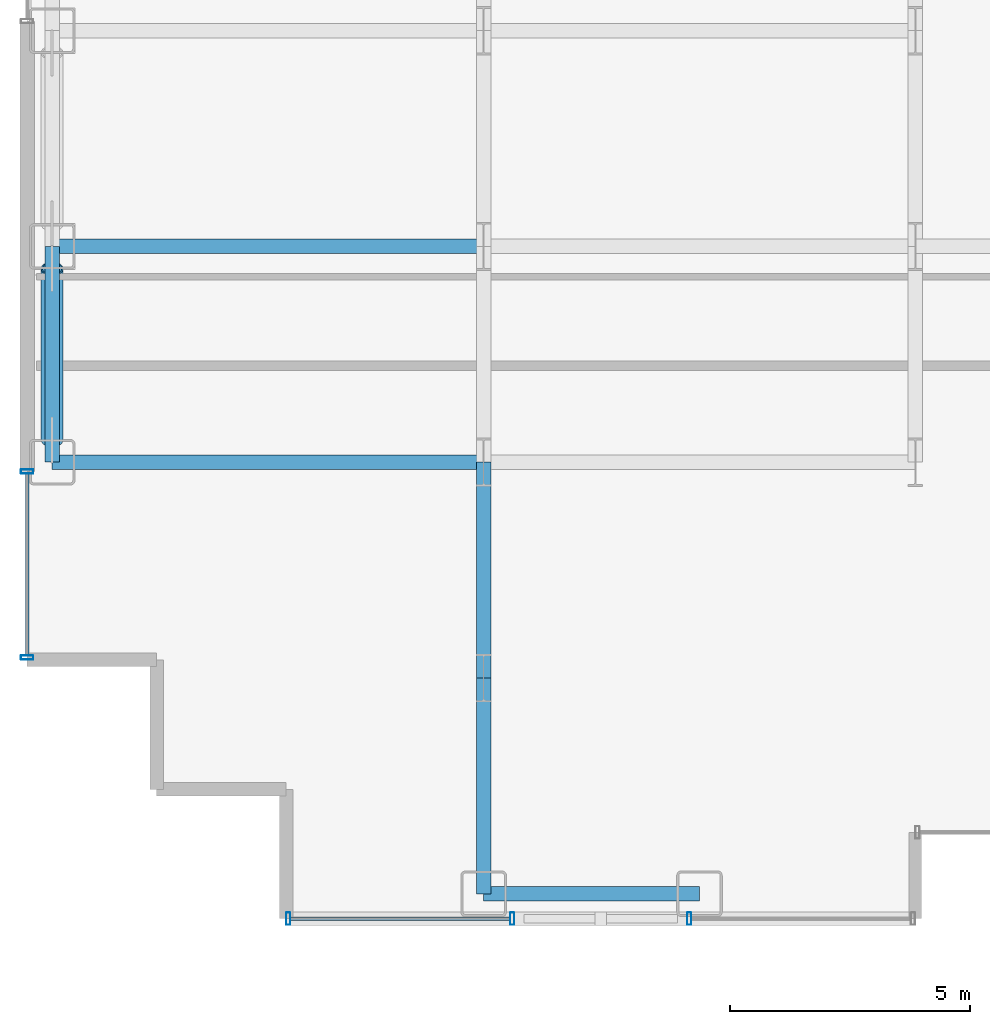
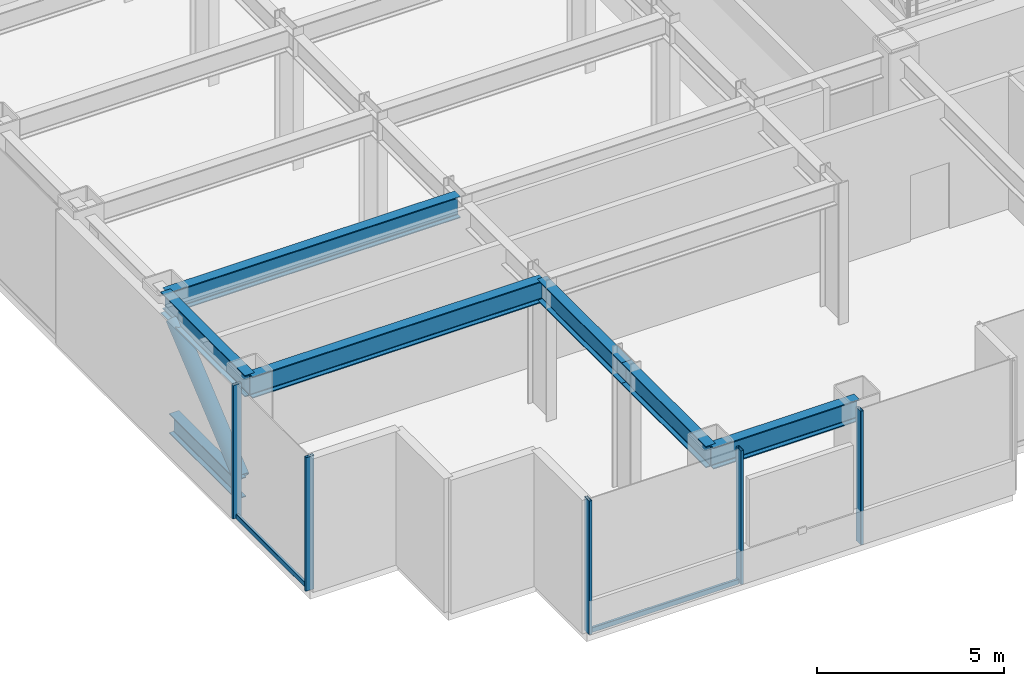
# One storey, part 2 of 30: 9 members, 6 beams, 3 elements without a shape of their own.
"""IFC4 building model written with IfcOpenShell, lengths in metres."""

from ifc_helpers import new_model, si_unit, direction, frame, origin, origin_2d, place, context, subcontext, project, spatial, hollow_rectangle, hollow_circle, i_section, extrude, source, transform, mapped, material, layer, layer_set, material_profile, profile_set, type_object, element, aggregate, save


model = new_model("IFC4")

# Units and contexts
model_context = context("Model", 3, precision=1e-05, world=origin(), true_north=direction((0.0, 1.0)))
body_context = subcontext(model_context, "Body", "Model", "MODEL_VIEW")
ifc_project = project(units=[si_unit("LENGTHUNIT", "METRE"), si_unit("AREAUNIT", "SQUARE_METRE"), si_unit("VOLUMEUNIT", "CUBIC_METRE"), si_unit("PLANEANGLEUNIT", "RADIAN"), si_unit("MASSUNIT", "GRAM", prefix="KILO")], contexts=[model_context])

# Site, building, storey
site_placement = place(None, origin())
site = spatial("IfcSite", under=ifc_project, at=site_placement, CompositionType="ELEMENT")
building_placement = place(site_placement, origin())
building = spatial("IfcBuilding", under=site, at=building_placement, Name="Nefas-Gora Pilgrimage Tower", CompositionType="ELEMENT")
storey_placement = place(building_placement, frame((0.0, 0.0, 86.199951171875)))
storey = spatial("IfcBuildingStorey", under=building, at=storey_placement, Name="L20", CompositionType="ELEMENT", Elevation=86.199951171875)

# Beams
ifc_material_1 = material(Name="Steel S355", Category="steel")
ifc_material_profile_1 = material_profile(ifc_material_1, i_section(OverallWidth=0.300048828125, OverallDepth=0.699951171875, WebThickness=0.01708984375, FlangeThickness=0.031982421875, FilletRadius=0.027099609375, at=origin_2d()), Name="HEB 700")
ifc_profile_set_1 = profile_set([ifc_material_profile_1], Name="Steel S355")
beam_type_1 = type_object("IfcBeamType", Name="BM-SPN-HEB600", PredefinedType="SPANDREL", material=ifc_profile_set_1)
shared_shape_1 = source(origin(), body_context, "Body", "SweptSolid", [
    extrude(i_section(OverallWidth=0.300048828125, OverallDepth=0.699951171875, WebThickness=0.01708984375, FlangeThickness=0.031982421875, FilletRadius=0.027099609375, at=origin_2d()), origin(), (0.0, 0.0, 1.0), 4.5),
])
for number, where, z_axis, x_axis, name in (
    (1, (-33.75, -13.5, 4.0), (0.0, 1.0, 0.0), (-1.0, 0.0, 0.0), "L20 SP-01 beam"),
    (2, (-24.75, -22.5, 4.0), (1.0, 0.0, 0.0), (0.0, 1.0, 0.0), "L20 SP-01 beam"),
):
    element("IfcBeam", number, at=place(storey_placement, frame(where, z_axis=z_axis, x_axis=x_axis)), inside=storey, type_object=beam_type_1, Name=name, PredefinedType="SPANDREL", context=body_context, shape_type="MappedRepresentation", body=[
        mapped(shared_shape_1, transform((0.0, 0.0, 0.0), x_axis=(1.0, 0.0, 0.0), y_axis=(0.0, 1.0, 0.0), z_axis=(0.0, 0.0, 1.0), scale=1.0)),
    ])
ifc_material_profile_2 = material_profile(ifc_material_1, i_section(OverallWidth=0.300048828125, OverallDepth=0.699951171875, WebThickness=0.01708984375, FlangeThickness=0.031982421875, FilletRadius=0.027099609375, at=origin_2d()), Name="HEB 700")
ifc_profile_set_2 = profile_set([ifc_material_profile_2], Name="Steel S355")
beam_type_2 = type_object("IfcBeamType", Name="BM-GIR-HEB700", PredefinedType="BEAM", material=ifc_profile_set_2)
shared_shape_2 = source(origin(), body_context, "Body", "SweptSolid", [
    extrude(i_section(OverallWidth=0.300048828125, OverallDepth=0.699951171875, WebThickness=0.01708984375, FlangeThickness=0.031982421875, FilletRadius=0.027099609375, at=origin_2d()), origin(), (0.0, 0.0, 1.0), 9.0),
])
for number, where, z_axis, x_axis, name in (
    (3, (-33.75, -13.5, 4.0), (1.0, 0.0, 0.0), (0.0, 1.0, 0.0), "L20 G-02 beam"),
    (4, (-33.75, -9.0, 4.0), (1.0, 0.0, 0.0), (0.0, 1.0, 0.0), "L20 G-02 beam"),
):
    element("IfcBeam", number, at=place(storey_placement, frame(where, z_axis=z_axis, x_axis=x_axis)), inside=storey, type_object=beam_type_2, Name=name, PredefinedType="BEAM", context=body_context, shape_type="MappedRepresentation", body=[
        mapped(shared_shape_2, transform((0.0, 0.0, 0.0), x_axis=(1.0, 0.0, 0.0), y_axis=(0.0, 1.0, 0.0), z_axis=(0.0, 0.0, 1.0), scale=1.0)),
    ])
shared_shape_3 = source(origin(), body_context, "Body", "SweptSolid", [
    extrude(i_section(OverallWidth=0.300048828125, OverallDepth=0.699951171875, WebThickness=0.01708984375, FlangeThickness=0.031982421875, FilletRadius=0.027099609375, at=origin_2d()), origin(), (0.0, 0.0, 1.0), 4.5),
])
for number, where, z_axis, x_axis, name in (
    (5, (-24.75, -22.5, 4.0), (0.0, 1.0, 0.0), (-1.0, 0.0, 0.0), "L20 G-02 beam"),
    (6, (-24.75, -18.0, 4.0), (0.0, 1.0, 0.0), (-1.0, 0.0, 0.0), "L20 G-02 beam"),
):
    element("IfcBeam", number, at=place(storey_placement, frame(where, z_axis=z_axis, x_axis=x_axis)), inside=storey, type_object=beam_type_2, Name=name, PredefinedType="BEAM", context=body_context, shape_type="MappedRepresentation", body=[
        mapped(shared_shape_3, transform((0.0, 0.0, 0.0), x_axis=(1.0, 0.0, 0.0), y_axis=(0.0, 1.0, 0.0), z_axis=(0.0, 0.0, 1.0), scale=1.0)),
    ])

# Members
ifc_material_2 = material(Name="Steel S460", Category="steel")
ifc_material_profile_3 = material_profile(ifc_material_2, hollow_circle(Radius=0.228515625, WallThickness=0.028076171875, at=origin_2d()), Name="CHS 457x28")
ifc_profile_set_3 = profile_set([ifc_material_profile_3], Name="Steel S460")
member_type_1 = type_object("IfcMemberType", Name="MEM-BELT-457", PredefinedType="BRACE", material=ifc_profile_set_3)
shared_shape_4 = source(origin(), body_context, "Body", "SweptSolid", [
    extrude(hollow_circle(Radius=0.228515625, WallThickness=0.028076171875, at=origin_2d()), origin(), (0.0, 0.0, 1.0), 4.652587890625),
])
member_1_placement = place(storey_placement, frame((-33.75, -13.037109375, 0.73583984375), z_axis=(0.0, 0.768221279597, 0.640184399664), x_axis=(-1.0, 0.0, 0.0)))
element("IfcMember", 7, at=member_1_placement, inside=storey, type_object=member_type_1, Name="L20 Perimeter Belt-Truss Diagonal 1", PredefinedType="BRACE", context=body_context, shape_type="MappedRepresentation", body=[
    mapped(shared_shape_4, transform((0.0, 0.0, 0.0), x_axis=(1.0, 0.0, 0.0), y_axis=(0.0, 1.0, 0.0), z_axis=(0.0, 0.0, 1.0), scale=1.0)),
])
ifc_material_profile_4 = material_profile(ifc_material_2, i_section(OverallWidth=0.300048828125, OverallDepth=0.64990234375, WebThickness=0.01611328125, FlangeThickness=0.031005859375, FilletRadius=0.027099609375, at=origin_2d()), Name="HEB 650")
ifc_profile_set_4 = profile_set([ifc_material_profile_4], Name="Steel S460")
member_type_2 = type_object("IfcMemberType", Name="MEM-BELT-CHORD", PredefinedType="CHORD", material=ifc_profile_set_4)
shared_shape_5 = source(origin(), body_context, "Body", "SweptSolid", [
    extrude(i_section(OverallWidth=0.300048828125, OverallDepth=0.64990234375, WebThickness=0.01611328125, FlangeThickness=0.031005859375, FilletRadius=0.027099609375, at=origin_2d()), origin(), (0.0, 0.0, 1.0), 3.57421875),
])
member_2_placement = place(storey_placement, frame((-33.75, -13.037109375, 0.35009765625), z_axis=(0.0, 1.0, 0.0), x_axis=(-1.0, 0.0, 0.0)))
element("IfcMember", 8, at=member_2_placement, inside=storey, type_object=member_type_2, Name="L20 Perimeter Belt-Truss Bottom Chord 1", PredefinedType="CHORD", context=body_context, shape_type="MappedRepresentation", body=[
    mapped(shared_shape_5, transform((0.0, 0.0, 0.0), x_axis=(1.0, 0.0, 0.0), y_axis=(0.0, 1.0, 0.0), z_axis=(0.0, 0.0, 1.0), scale=1.0)),
])

# Curtain wall, members
ifc_material_3 = material(Name="Dark ceramic-fritted solar-control aluminium-glass curtain wall", Category="aluminium")
ifc_layer = layer(ifc_material_3, 0.219970703125)
ifc_layer_set = layer_set([ifc_layer], Name="Dark ceramic-fritted solar-control aluminium-glass curtain wall")
curtain_wall_type = type_object("IfcCurtainWallType", Name="CW-SYS-2", PredefinedType="NOTDEFINED", material=ifc_layer_set)
curtain_wall_1_placement = place(storey_placement, origin())
curtain_wall_1 = element("IfcCurtainWall", 9, at=curtain_wall_1_placement, inside=storey, type_object=curtain_wall_type, Name="L20 Unitised Curtain Wall CW2", PredefinedType="NOTDEFINED")
ifc_material_4 = material(Name="Anodised architectural aluminium", Category="aluminium")
ifc_material_profile_5 = material_profile(ifc_material_4, hollow_rectangle(XDim=0.090087890625, YDim=0.260009765625, WallThickness=0.006103515625, InnerFilletRadius=0.006103515625, OuterFilletRadius=0.011962890625, at=origin_2d()), Name="ALU MULLION 90x260")
ifc_profile_set_5 = profile_set([ifc_material_profile_5], Name="Anodised architectural aluminium")
member_type_3 = type_object("IfcMemberType", Name="CWM-MUL-2", PredefinedType="MULLION", material=ifc_profile_set_5)
shared_shape_6 = source(origin(), body_context, "Body", "SweptSolid", [
    extrude(hollow_rectangle(XDim=0.090087890625, YDim=0.260009765625, WallThickness=0.006103515625, InnerFilletRadius=0.006103515625, OuterFilletRadius=0.011962890625, at=origin_2d()), origin(), (0.0, 0.0, 1.0), 4.35009765625),
])
member_3_placement = place(storey_placement, frame((-34.27001953125, -13.695068359375, 0.0), z_axis=(0.0, 0.0, 1.0), x_axis=(0.0, -1.0, 0.0)))
member_3 = element("IfcMember", 10, at=member_3_placement, type_object=member_type_3, Name="CW2 Mullion 1", PredefinedType="MULLION", context=body_context, shape_type="MappedRepresentation", body=[
    mapped(shared_shape_6, transform((0.0, 0.0, 0.0), x_axis=(1.0, 0.0, 0.0), y_axis=(0.0, 1.0, 0.0), z_axis=(0.0, 0.0, 1.0), scale=1.0)),
])
member_4_placement = place(storey_placement, frame((-34.27001953125, -17.574951171875, 0.0), z_axis=(0.0, 0.0, 1.0), x_axis=(0.0, -1.0, 0.0)))
member_4 = element("IfcMember", 11, at=member_4_placement, type_object=member_type_3, Name="CW2 Mullion 2", PredefinedType="MULLION", context=body_context, shape_type="MappedRepresentation", body=[
    mapped(shared_shape_6, transform((0.0, 0.0, 0.0), x_axis=(1.0, 0.0, 0.0), y_axis=(0.0, 1.0, 0.0), z_axis=(0.0, 0.0, 1.0), scale=1.0)),
])

curtain_wall_2_placement = place(storey_placement, origin())
curtain_wall_2 = element("IfcCurtainWall", 12, at=curtain_wall_2_placement, inside=storey, type_object=curtain_wall_type, Name="L20 Unitised Curtain Wall CW2", PredefinedType="NOTDEFINED")
member_5_placement = place(storey_placement, frame((-28.824951171875, -23.02001953125, 0.0), z_axis=(0.0, 0.0, 1.0), x_axis=(1.0, 0.0, 0.0)))
member_5 = element("IfcMember", 13, at=member_5_placement, type_object=member_type_3, Name="CW2 Mullion 1", PredefinedType="MULLION", context=body_context, shape_type="MappedRepresentation", body=[
    mapped(shared_shape_6, transform((0.0, 0.0, 0.0), x_axis=(1.0, 0.0, 0.0), y_axis=(0.0, 1.0, 0.0), z_axis=(0.0, 0.0, 1.0), scale=1.0)),
])
member_6_placement = place(storey_placement, frame((-24.155029296875, -23.02001953125, 0.0), z_axis=(0.0, 0.0, 1.0), x_axis=(1.0, 0.0, 0.0)))
member_6 = element("IfcMember", 14, at=member_6_placement, type_object=member_type_3, Name="CW2 Mullion 2", PredefinedType="MULLION", context=body_context, shape_type="MappedRepresentation", body=[
    mapped(shared_shape_6, transform((0.0, 0.0, 0.0), x_axis=(1.0, 0.0, 0.0), y_axis=(0.0, 1.0, 0.0), z_axis=(0.0, 0.0, 1.0), scale=1.0)),
])

# Curtain wall, member
curtain_wall_3_placement = place(storey_placement, origin())
curtain_wall_3 = element("IfcCurtainWall", 15, at=curtain_wall_3_placement, inside=storey, type_object=curtain_wall_type, Name="L20 Unitised Curtain Wall CW2", PredefinedType="NOTDEFINED")
member_7_placement = place(storey_placement, frame((-20.465087890625, -23.02001953125, 0.0), z_axis=(0.0, 0.0, 1.0), x_axis=(1.0, 0.0, 0.0)))
member_7 = element("IfcMember", 16, at=member_7_placement, type_object=member_type_3, Name="CW2 Mullion 1", PredefinedType="MULLION", context=body_context, shape_type="MappedRepresentation", body=[
    mapped(shared_shape_6, transform((0.0, 0.0, 0.0), x_axis=(1.0, 0.0, 0.0), y_axis=(0.0, 1.0, 0.0), z_axis=(0.0, 0.0, 1.0), scale=1.0)),
])
aggregate(curtain_wall_3, [member_7])

# Member
ifc_material_profile_6 = material_profile(ifc_material_4, hollow_rectangle(XDim=0.080078125, YDim=0.159912109375, WallThickness=0.00439453125, InnerFilletRadius=0.00439453125, OuterFilletRadius=0.009033203125, at=origin_2d()), Name="ALU TRANSOM 80x160")
ifc_profile_set_6 = profile_set([ifc_material_profile_6], Name="Anodised architectural aluminium")
member_type_4 = type_object("IfcMemberType", Name="CWM-TRN-2", PredefinedType="USERDEFINED", material=ifc_profile_set_6)
shared_shape_7 = source(origin(), body_context, "Body", "SweptSolid", [
    extrude(hollow_rectangle(XDim=0.080078125, YDim=0.159912109375, WallThickness=0.00439453125, InnerFilletRadius=0.00439453125, OuterFilletRadius=0.009033203125, at=origin_2d()), origin(), (0.0, 0.0, 1.0), 3.7900390625),
])
member_8_placement = place(storey_placement, frame((-34.27001953125, -13.739990234375, 0.050048828125), z_axis=(0.0, -1.0, 0.0), x_axis=(1.0, 0.0, 0.0)))
member_8 = element("IfcMember", 17, at=member_8_placement, type_object=member_type_4, Name="CW2 Spandrel Transom", ObjectType="TRANSOM", PredefinedType="USERDEFINED", context=body_context, shape_type="MappedRepresentation", body=[
    mapped(shared_shape_7, transform((0.0, 0.0, 0.0), x_axis=(1.0, 0.0, 0.0), y_axis=(0.0, 1.0, 0.0), z_axis=(0.0, 0.0, 1.0), scale=1.0)),
])

aggregate(curtain_wall_1, [member_3, member_4, member_8])

shared_shape_8 = source(origin(), body_context, "Body", "SweptSolid", [
    extrude(hollow_rectangle(XDim=0.080078125, YDim=0.159912109375, WallThickness=0.00439453125, InnerFilletRadius=0.00439453125, OuterFilletRadius=0.009033203125, at=origin_2d()), origin(), (0.0, 0.0, 1.0), 4.580078125),
])
member_9_placement = place(storey_placement, frame((-28.780029296875, -23.02001953125, 0.050048828125), z_axis=(1.0, 0.0, 0.0), x_axis=(0.0, 1.0, 0.0)))
member_9 = element("IfcMember", 18, at=member_9_placement, type_object=member_type_4, Name="CW2 Spandrel Transom", ObjectType="TRANSOM", PredefinedType="USERDEFINED", context=body_context, shape_type="MappedRepresentation", body=[
    mapped(shared_shape_8, transform((0.0, 0.0, 0.0), x_axis=(1.0, 0.0, 0.0), y_axis=(0.0, 1.0, 0.0), z_axis=(0.0, 0.0, 1.0), scale=1.0)),
])

aggregate(curtain_wall_2, [member_5, member_6, member_9])

save(model, "model.ifc")
